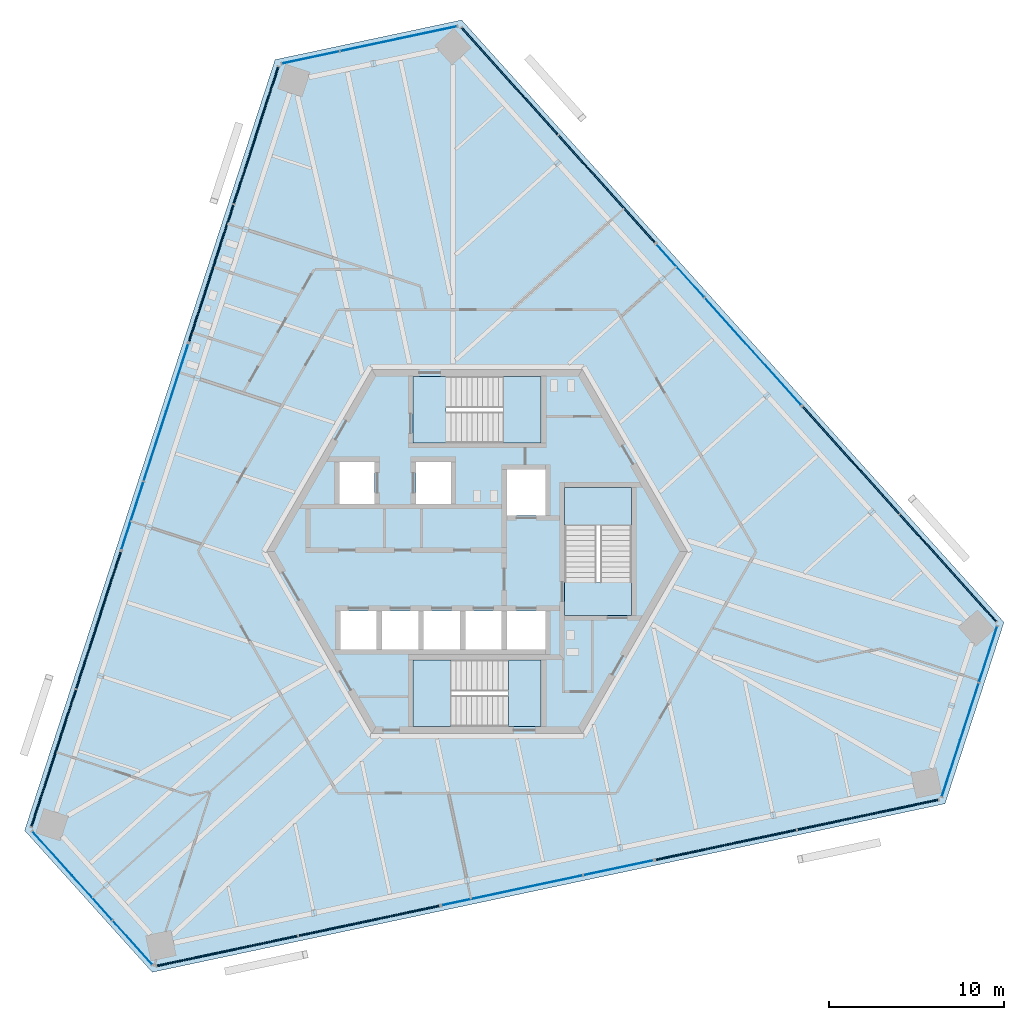
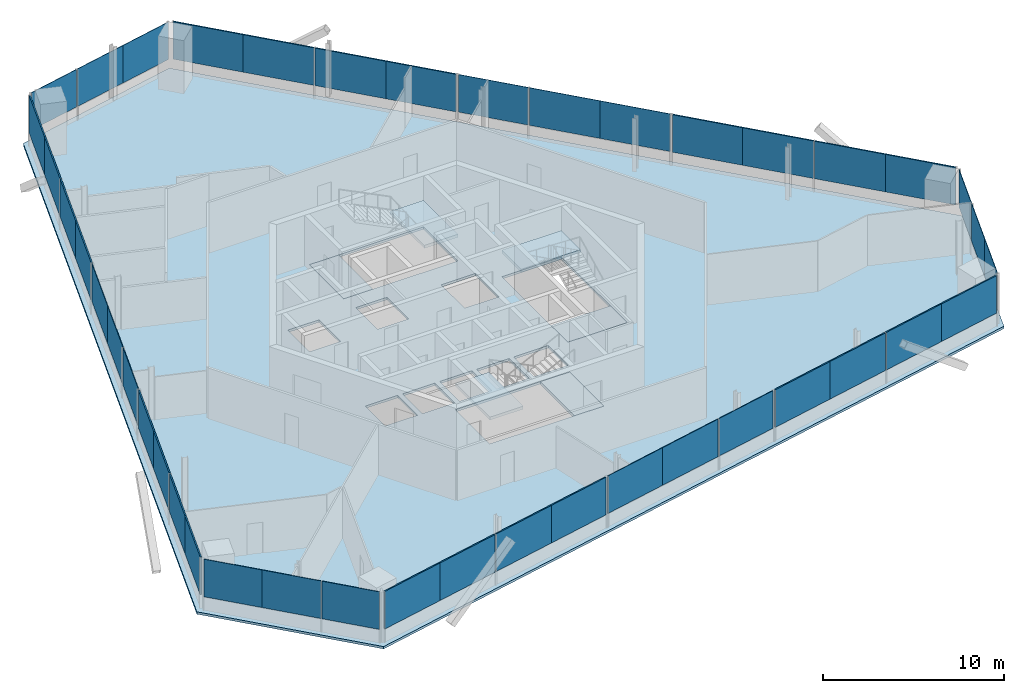
# One storey, part 8 of 14: 42 plates, 7 slabs, 15 elements without a shape of their own.
"""IFC4 building model written with IfcOpenShell, lengths in metres."""

import ifcopenshell
import ifcopenshell.guid

model = None  # the IFC model being written
_history = None  # IfcOwnerHistory: only IFC2X3 demands one
_inside = {}  # id of a spatial element -> (the spatial element, [elements in it])
_under = {}  # id of a project, library or spatial element -> (it, [spatial elements below it])
_declared = {}  # id of a project -> (the project, [libraries it declares])
_typed = {}  # id of a type object -> (the type object, [elements of that type])
_made_of = {}  # id of a material, layer set ... -> (it, [elements and type objects made of it])


def new_model(schema):
    """Start an empty IFC model of exactly this schema.

    Asked for "IFC4X3", IfcOpenShell would pick the latest addendum, in which some entities
    have other attributes; the version numbers below select the first issue.
    IFC2X3 requires an IfcOwnerHistory on every rooted entity: one is made here for all.
    """
    global model, _history
    if schema == "IFC4X3":
        model = ifcopenshell.file(schema_version=(4, 3, 0, 0))
    else:
        model = ifcopenshell.file(schema=schema)
    _inside.clear()
    _under.clear()
    _declared.clear()
    _typed.clear()
    _made_of.clear()
    _history = None
    if model.schema == "IFC2X3":
        org = make("IfcOrganization", Name="unknown")
        user = make(
            "IfcPersonAndOrganization",
            ThePerson=make("IfcPerson", FamilyName="unknown"),
            TheOrganization=org,
        )
        app = make(
            "IfcApplication",
            ApplicationDeveloper=org,
            Version="unknown",
            ApplicationFullName="unknown",
            ApplicationIdentifier="unknown",
        )
        _history = make(
            "IfcOwnerHistory",
            OwningUser=user,
            OwningApplication=app,
            ChangeAction="ADDED",
            CreationDate=0,
        )
    return model


def make(cls, **values):
    """One entity of the class cls with the attributes given. An attribute that is None is left unset."""
    return model.create_entity(
        cls, **{name: value for name, value in values.items() if value is not None}
    )


def rooted(cls, **values):
    """An entity with a GlobalId (a new one), such as an element, a storey or a relation."""
    return make(cls, GlobalId=ifcopenshell.guid.new(), OwnerHistory=_history, **values)


def si_unit(unit_type, name, prefix=None):
    """IfcSIUnit, for example si_unit("LENGTHUNIT", "METRE", prefix="MILLI")."""
    return make("IfcSIUnit", UnitType=unit_type, Prefix=prefix, Name=name)


def assignment(units):
    """IfcUnitAssignment: the units of a project."""
    return None if units is None else make("IfcUnitAssignment", Units=units)


def point(xyz):
    """IfcCartesianPoint."""
    return None if xyz is None else make("IfcCartesianPoint", Coordinates=xyz)


def direction(xyz):
    """IfcDirection."""
    return None if xyz is None else make("IfcDirection", DirectionRatios=xyz)


def frame(location, z_axis=None, x_axis=None):
    """IfcAxis2Placement3D, a coordinate frame: its origin and axes. An axis left out is left unset."""
    return make(
        "IfcAxis2Placement3D",
        Location=point(location),
        Axis=direction(z_axis),
        RefDirection=direction(x_axis),
    )


def frame_2d(location, x_axis=None):
    """IfcAxis2Placement2D, a coordinate frame in the plane: its origin and x axis."""
    return make(
        "IfcAxis2Placement2D", Location=point(location), RefDirection=direction(x_axis)
    )


def origin():
    """The frame at (0, 0, 0) with its axes left unset."""
    return frame((0.0, 0.0, 0.0))


def origin_2d():
    """The frame at (0, 0) in the plane with its x axis left unset."""
    return frame_2d((0.0, 0.0))


def place(relative_to, where):
    """IfcLocalPlacement: puts the frame where relative to a parent placement (None: the world)."""
    return make(
        "IfcLocalPlacement", PlacementRelTo=relative_to, RelativePlacement=where
    )


def context(
    kind, dimensions, precision=None, world=None, true_north=None, identifier=None
):
    """IfcGeometricRepresentationContext, for example the 3D "Model" context."""
    return make(
        "IfcGeometricRepresentationContext",
        ContextIdentifier=identifier,
        ContextType=kind,
        CoordinateSpaceDimension=dimensions,
        Precision=precision,
        WorldCoordinateSystem=world,
        TrueNorth=true_north,
    )


def subcontext(parent, identifier, kind, view, scale=None):
    """IfcGeometricRepresentationSubContext, for example "Body" below "Model"."""
    return make(
        "IfcGeometricRepresentationSubContext",
        ContextIdentifier=identifier,
        ContextType=kind,
        ParentContext=parent,
        TargetScale=scale,
        TargetView=view,
    )


def project(units=None, contexts=None):
    """IfcProject with its units and contexts."""
    return rooted(
        "IfcProject",
        Name="project",
        RepresentationContexts=contexts,
        UnitsInContext=assignment(units),
    )


def spatial(cls, under=None, at=None, **own):
    """A site, building, storey or space (cls), placed at a placement, below another one or the project."""
    s = rooted(cls, ObjectPlacement=at, **own)
    if under is not None:
        _under.setdefault(under.id(), (under, []))[1].append(s)
    return s


def polyline(points):
    """IfcPolyline through the points."""
    return make("IfcPolyline", Points=[point(p) for p in points])


def profile(cls, at=None, kind="AREA", **sizes):
    """A parametric profile (cls). Its sizes go by their IFC names, for example OverallWidth=200.0."""
    return make(cls, ProfileType=kind, Position=at, **sizes)


def rectangle(**sizes):
    """IfcRectangleProfileDef."""
    return profile("IfcRectangleProfileDef", **sizes)


def outline(outer, holes=None, kind="AREA"):
    """IfcArbitraryClosedProfileDef: a profile drawn as a closed curve; with holes, ...WithVoids."""
    if holes is None:
        return make("IfcArbitraryClosedProfileDef", ProfileType=kind, OuterCurve=outer)
    return make(
        "IfcArbitraryProfileDefWithVoids",
        ProfileType=kind,
        OuterCurve=outer,
        InnerCurves=holes,
    )


def extrude(swept, where, along, depth):
    """IfcExtrudedAreaSolid: the profile swept, set in the frame where, extruded along a direction by depth."""
    return make(
        "IfcExtrudedAreaSolid",
        SweptArea=swept,
        Position=where,
        ExtrudedDirection=direction(along),
        Depth=depth,
    )


def shape(context_of_items, identifier, shape_type, items):
    """IfcShapeRepresentation: the items that make up one representation, for example the "Body"."""
    return make(
        "IfcShapeRepresentation",
        ContextOfItems=context_of_items,
        RepresentationIdentifier=identifier,
        RepresentationType=shape_type,
        Items=items,
    )


def source(mapping_origin, context_of_items, identifier, shape_type, items):
    """IfcRepresentationMap: a shape defined once, which mapped items show again and again."""
    return make(
        "IfcRepresentationMap",
        MappingOrigin=mapping_origin,
        MappedRepresentation=shape(context_of_items, identifier, shape_type, items),
    )


def transform(
    local_origin,
    x_axis=None,
    y_axis=None,
    z_axis=None,
    scale=None,
    scale2=None,
    scale3=None,
    uniform=True,
):
    """IfcCartesianTransformationOperator3D, or its non-uniform kind. x_axis, y_axis, z_axis: its Axis1, 2, 3."""
    if uniform:
        return make(
            "IfcCartesianTransformationOperator3D",
            Axis1=direction(x_axis),
            Axis2=direction(y_axis),
            LocalOrigin=point(local_origin),
            Scale=scale,
            Axis3=direction(z_axis),
        )
    return make(
        "IfcCartesianTransformationOperator3DnonUniform",
        Axis1=direction(x_axis),
        Axis2=direction(y_axis),
        LocalOrigin=point(local_origin),
        Scale=scale,
        Axis3=direction(z_axis),
        Scale2=scale2,
        Scale3=scale3,
    )


def mapped(mapping_source, mapping_target):
    """IfcMappedItem: shows the shape of a source again, moved by a transform."""
    return make(
        "IfcMappedItem", MappingSource=mapping_source, MappingTarget=mapping_target
    )


def material(Name=None, Category=None):
    """IfcMaterial."""
    return make("IfcMaterial", Name=Name, Category=Category)


def layer(
    of_material, thickness, ventilated=None, Name=None, Category=None, Priority=None
):
    """IfcMaterialLayer: one layer of a wall or slab, of a material (None: an air gap)."""
    return make(
        "IfcMaterialLayer",
        Material=of_material,
        LayerThickness=thickness,
        IsVentilated=ventilated,
        Name=Name,
        Category=Category,
        Priority=Priority,
    )


def layer_set(layers, Name=None):
    """IfcMaterialLayerSet."""
    return make("IfcMaterialLayerSet", MaterialLayers=layers, LayerSetName=Name)


def made_of(thing, what):
    """Note that an element or type object is made of a material, layer set ...; save() writes the relation."""
    if what is not None:
        _made_of.setdefault(what.id(), (what, []))[1].append(thing)
    return thing


def type_object(cls, material=None, **own):
    """A type object (cls), such as IfcWallType, which elements share."""
    return made_of(rooted(cls, **own), material)


def element(
    cls,
    number,
    at=None,
    inside=None,
    cuts=None,
    type_object=None,
    material=None,
    context=None,
    identifier="Body",
    shape_type=None,
    held_by="IfcProductDefinitionShape",
    body=None,
    shapes=None,
    **own,
):
    """One element of the class cls, such as IfcWall. Its Tag is "e" and its number.

    at: its placement. inside: the storey or other place that contains it. cuts: it is an
    opening in that element (IfcRelVoidsElement). A single representation is given by context,
    identifier, shape_type and body (its items); several are given by shapes. held_by: the class
    of the entity that holds the representations. save() writes the other relations.
    """
    e = rooted(cls, Tag="e%d" % number, ObjectPlacement=at, **own)
    if body is not None:
        shapes = [shape(context, identifier, shape_type, body)]
    if shapes is not None:
        e.Representation = make(held_by, Representations=shapes)
    if inside is not None:
        _inside.setdefault(inside.id(), (inside, []))[1].append(e)
    if cuts is not None:
        rooted(
            "IfcRelVoidsElement", RelatingBuildingElement=cuts, RelatedOpeningElement=e
        )
    if type_object is not None:
        _typed.setdefault(type_object.id(), (type_object, []))[1].append(e)
    return made_of(e, material)


def aggregate(whole, parts):
    """IfcRelAggregates: a whole, such as a stair, and the parts it consists of."""
    return rooted("IfcRelAggregates", RelatingObject=whole, RelatedObjects=parts)


def save(model, path):
    """Write the relations noted so far, then the file.

    IfcRelAggregates (storeys below a building ...), IfcRelContainedInSpatialStructure (elements
    in a storey), IfcRelDefinesByType, IfcRelAssociatesMaterial and IfcRelDeclares: one each for
    every whole, place, type object, material and project.
    """
    for whole, parts in _under.values():
        aggregate(whole, parts)
    for where, things in _inside.values():
        rooted(
            "IfcRelContainedInSpatialStructure",
            RelatedElements=things,
            RelatingStructure=where,
        )
    for kind, things in _typed.values():
        rooted("IfcRelDefinesByType", RelatedObjects=things, RelatingType=kind)
    for what, things in _made_of.values():
        rooted("IfcRelAssociatesMaterial", RelatedObjects=things, RelatingMaterial=what)
    for by, libraries in _declared.values():
        rooted("IfcRelDeclares", RelatingContext=by, RelatedDefinitions=libraries)
    model.write(path)


model = new_model("IFC4")

# Units and contexts
model_context = context("Model", 3, precision=1e-05, world=origin(), true_north=direction((0.0, 1.0)))
body_context = subcontext(model_context, "Body", "Model", "MODEL_VIEW")
ifc_project = project(units=[si_unit("LENGTHUNIT", "METRE"), si_unit("AREAUNIT", "SQUARE_METRE"), si_unit("VOLUMEUNIT", "CUBIC_METRE"), si_unit("PLANEANGLEUNIT", "RADIAN"), si_unit("MASSUNIT", "GRAM", prefix="KILO")], contexts=[model_context])

# Site, building, storey
site_placement = place(None, origin())
site = spatial("IfcSite", under=ifc_project, at=site_placement, CompositionType="ELEMENT")
building_placement = place(site_placement, origin())
building = spatial("IfcBuilding", under=site, at=building_placement, Name="Triune Harvest Tower", CompositionType="ELEMENT")
storey_placement = place(building_placement, frame((0.0, 0.0, 263.10009765625)))
storey = spatial("IfcBuildingStorey", under=building, at=storey_placement, Name="L69", CompositionType="ELEMENT", Elevation=263.10009765625)

# Slab
ifc_material_1 = material(Name="Concrete 40 MPa", Category="concrete")
ifc_layer_1 = layer(ifc_material_1, 0.159912109375)
ifc_layer_set_1 = layer_set([ifc_layer_1], Name="Concrete 40 MPa")
slab_type_1 = type_object("IfcSlabType", Name="SL-1 Composite floor slab 160", PredefinedType="FLOOR", material=ifc_layer_set_1)
shared_shape_1 = source(origin(), body_context, "Body", "SweptSolid", [
    extrude(outline(polyline([(30.05810546875, -4.04638671875), (-0.88232421875, 30.31640625), (-11.524658203125, 28.054443359375), (-25.813720703125, -15.922607421875), (-18.533447265625, -24.0078125), (26.696044921875, -14.39404296875), (30.05810546875, -4.04638671875)]), holes=[polyline([(-5.72509765625, -5.590087890625), (-5.72509765625, -3.389892578125), (-7.800048828125, -3.389892578125), (-7.800048828125, -5.590087890625), (-5.72509765625, -5.590087890625)]), polyline([(-3.35009765625, -5.590087890625), (-3.35009765625, -3.389892578125), (-5.425048828125, -3.389892578125), (-5.425048828125, -5.590087890625), (-3.35009765625, -5.590087890625)]), polyline([(-0.97509765625, -5.590087890625), (-0.97509765625, -3.389892578125), (-3.050048828125, -3.389892578125), (-3.050048828125, -5.590087890625), (-0.97509765625, -5.590087890625)]), polyline([(1.39990234375, -5.590087890625), (1.39990234375, -3.389892578125), (-0.675048828125, -3.389892578125), (-0.675048828125, -5.590087890625), (1.39990234375, -5.590087890625)]), polyline([(3.89990234375, 2.06005859375), (3.89990234375, 4.659912109375), (1.699951171875, 4.659912109375), (1.699951171875, 2.06005859375), (3.89990234375, 2.06005859375)]), polyline([(3.89990234375, -5.590087890625), (3.89990234375, -3.389892578125), (1.699951171875, -3.389892578125), (1.699951171875, -5.590087890625), (3.89990234375, -5.590087890625)]), polyline([(-5.85009765625, 2.7099609375), (-5.85009765625, 5.110107421875), (-7.85009765625, 5.110107421875), (-7.85009765625, 2.7099609375), (-5.85009765625, 2.7099609375)]), polyline([(-1.5, 2.7099609375), (-1.5, 5.110107421875), (-3.5, 5.110107421875), (-3.5, 2.7099609375), (-1.5, 2.7099609375)]), polyline([(3.64990234375, 6.18994140625), (3.64990234375, 9.989990234375), (-3.64990234375, 9.989990234375), (-3.64990234375, 6.18994140625), (3.64990234375, 6.18994140625)]), polyline([(3.64990234375, -9.989990234375), (3.64990234375, -6.18994140625), (-3.64990234375, -6.18994140625), (-3.64990234375, -9.989990234375), (3.64990234375, -9.989990234375)]), polyline([(8.800048828125, -3.64990234375), (8.800048828125, 3.64990234375), (5.0, 3.64990234375), (5.0, -3.64990234375), (8.800048828125, -3.64990234375)])]), origin(), (0.0, 0.0, 1.0), 0.16015625),
])
slab_1_placement = place(storey_placement, frame((0.0, 0.0, -0.16015625)))
element("IfcSlab", 1, at=slab_1_placement, inside=storey, type_object=slab_type_1, Name="slab/L69/1", PredefinedType="FLOOR", context=body_context, shape_type="MappedRepresentation", body=[
    mapped(shared_shape_1, transform((0.0, 0.0, 0.0), scale=1.0)),
])

# Stair, slabs
ifc_material_2 = material(Name="Concrete 40 MPa", Category="concrete")
stair_type = type_object("IfcStairType", Name="Exit stair 1800 half turn", PredefinedType="HALF_TURN_STAIR", material=ifc_material_2)
stair_1_placement = place(storey_placement, origin())
stair_1 = element("IfcStair", 2, at=stair_1_placement, inside=storey, type_object=stair_type, Name="Exit stair north", PredefinedType="HALF_TURN_STAIR")
ifc_material_3 = material(Name="Concrete 40 MPa", Category="concrete")
ifc_layer_2 = layer(ifc_material_3, 0.199951171875)
ifc_layer_set_2 = layer_set([ifc_layer_2], Name="Concrete 40 MPa")
slab_type_2 = type_object("IfcSlabType", Name="Stair landing 200", PredefinedType="LANDING", material=ifc_layer_set_2)
shared_shape_2 = source(origin(), body_context, "Body", "SweptSolid", [
    extrude(outline(polyline([(1.510009765625, 6.18994140625), (3.64990234375, 6.18994140625), (3.64990234375, 9.989990234375), (1.510009765625, 9.989990234375), (1.510009765625, 6.18994140625)])), origin(), (0.0, 0.0, 1.0), 0.199951171875),
])
slab_2_placement = place(storey_placement, frame((0.0, 0.0, 1.599853515625)))
slab_2 = element("IfcSlab", 3, at=slab_2_placement, type_object=slab_type_2, Name="ST-1 landing 2", PredefinedType="LANDING", context=body_context, shape_type="MappedRepresentation", body=[
    mapped(shared_shape_2, transform((0.0, 0.0, 0.0), scale=1.0)),
])
shared_shape_3 = source(origin(), body_context, "Body", "SweptSolid", [
    extrude(outline(polyline([(-3.64990234375, 6.18994140625), (-1.780029296875, 6.18994140625), (-1.780029296875, 9.989990234375), (-3.64990234375, 9.989990234375), (-3.64990234375, 6.18994140625)])), origin(), (0.0, 0.0, 1.0), 0.2001953125),
])
slab_3_placement = place(storey_placement, frame((0.0, 0.0, -0.2001953125)))
slab_3 = element("IfcSlab", 4, at=slab_3_placement, type_object=slab_type_2, Name="ST-1 landing 1", PredefinedType="LANDING", context=body_context, shape_type="MappedRepresentation", body=[
    mapped(shared_shape_3, transform((0.0, 0.0, 0.0), scale=1.0)),
])
aggregate(stair_1, [slab_3, slab_2])

stair_2_placement = place(storey_placement, origin())
stair_2 = element("IfcStair", 5, at=stair_2_placement, inside=storey, type_object=stair_type, Name="Exit stair south", PredefinedType="HALF_TURN_STAIR")
shared_shape_4 = source(origin(), body_context, "Body", "SweptSolid", [
    extrude(outline(polyline([(-1.510009765625, -6.18994140625), (-3.64990234375, -6.18994140625), (-3.64990234375, -9.989990234375), (-1.510009765625, -9.989990234375), (-1.510009765625, -6.18994140625)])), origin(), (0.0, 0.0, 1.0), 0.199951171875),
])
slab_4_placement = place(storey_placement, frame((0.0, 0.0, 1.599853515625)))
slab_4 = element("IfcSlab", 6, at=slab_4_placement, type_object=slab_type_2, Name="ST-2 landing 2", PredefinedType="LANDING", context=body_context, shape_type="MappedRepresentation", body=[
    mapped(shared_shape_4, transform((0.0, 0.0, 0.0), scale=1.0)),
])
shared_shape_5 = source(origin(), body_context, "Body", "SweptSolid", [
    extrude(outline(polyline([(3.64990234375, -6.18994140625), (1.780029296875, -6.18994140625), (1.780029296875, -9.989990234375), (3.64990234375, -9.989990234375), (3.64990234375, -6.18994140625)])), origin(), (0.0, 0.0, 1.0), 0.2001953125),
])
slab_5_placement = place(storey_placement, frame((0.0, 0.0, -0.2001953125)))
slab_5 = element("IfcSlab", 7, at=slab_5_placement, type_object=slab_type_2, Name="ST-2 landing 1", PredefinedType="LANDING", context=body_context, shape_type="MappedRepresentation", body=[
    mapped(shared_shape_5, transform((0.0, 0.0, 0.0), scale=1.0)),
])
aggregate(stair_2, [slab_5, slab_4])

stair_3_placement = place(storey_placement, origin())
stair_3 = element("IfcStair", 8, at=stair_3_placement, inside=storey, type_object=stair_type, Name="Exit stair east", PredefinedType="HALF_TURN_STAIR")
shared_shape_6 = source(origin(), body_context, "Body", "SweptSolid", [
    extrude(outline(polyline([(8.800048828125, 1.510009765625), (8.800048828125, 3.64990234375), (5.0, 3.64990234375), (5.0, 1.510009765625), (8.800048828125, 1.510009765625)])), origin(), (0.0, 0.0, 1.0), 0.199951171875),
])
slab_6_placement = place(storey_placement, frame((0.0, 0.0, 1.599853515625)))
slab_6 = element("IfcSlab", 9, at=slab_6_placement, type_object=slab_type_2, Name="ST-3 landing 2", PredefinedType="LANDING", context=body_context, shape_type="MappedRepresentation", body=[
    mapped(shared_shape_6, transform((0.0, 0.0, 0.0), scale=1.0)),
])
shared_shape_7 = source(origin(), body_context, "Body", "SweptSolid", [
    extrude(outline(polyline([(8.800048828125, -3.64990234375), (8.800048828125, -1.780029296875), (5.0, -1.780029296875), (5.0, -3.64990234375), (8.800048828125, -3.64990234375)])), origin(), (0.0, 0.0, 1.0), 0.2001953125),
])
slab_7_placement = place(storey_placement, frame((0.0, 0.0, -0.2001953125)))
slab_7 = element("IfcSlab", 10, at=slab_7_placement, type_object=slab_type_2, Name="ST-3 landing 1", PredefinedType="LANDING", context=body_context, shape_type="MappedRepresentation", body=[
    mapped(shared_shape_7, transform((0.0, 0.0, 0.0), scale=1.0)),
])
aggregate(stair_3, [slab_7, slab_6])

# Curtain wall, plate
ifc_material_4 = material(Name="Aluminium bronze anodised", Category="aluminium")
curtain_wall_type_1 = type_object("IfcCurtainWallType", Name="CW-1 Tower stick curtain wall", PredefinedType="NOTDEFINED", material=ifc_material_4)
curtain_wall_1_placement = place(storey_placement, origin())
curtain_wall_1 = element("IfcCurtainWall", 11, at=curtain_wall_1_placement, inside=storey, type_object=curtain_wall_type_1, Name="CW-1 B7-F2 L69 run 1")
ifc_material_5 = material(Name="Glass", Category="glass")
ifc_layer_3 = layer(ifc_material_5, 0.031982421875)
ifc_layer_set_3 = layer_set([ifc_layer_3], Name="Glass")
plate_type_1 = type_object("IfcPlateType", Name="GL-1 panel 32", PredefinedType="CURTAIN_PANEL", material=ifc_layer_set_3)
shared_shape_8 = source(origin(), body_context, "Body", "SweptSolid", [
    extrude(rectangle(XDim=3.376220703125, YDim=0.031982421875, at=origin_2d()), origin(), (0.0, 0.0, 1.0), 2.5400390625),
])
plate_1_placement = place(storey_placement, frame((-2.802001953125, 29.601806640625, 0.89990234375), z_axis=(0.0, 0.0, 1.0), x_axis=(-0.978149078297, -0.207904739307, 0.0)))
plate_1 = element("IfcPlate", 12, at=plate_1_placement, type_object=plate_type_1, Name="CW-1 panel B7-F2 1.1", PredefinedType="CURTAIN_PANEL", context=body_context, shape_type="MappedRepresentation", body=[
    mapped(shared_shape_8, transform((0.0, 0.0, 0.0), scale=1.0)),
])

curtain_wall_2_placement = place(storey_placement, origin())
curtain_wall_2 = element("IfcCurtainWall", 13, at=curtain_wall_2_placement, inside=storey, type_object=curtain_wall_type_1, Name="CW-1 B7-F4 L69 run 1")
plate_2_placement = place(storey_placement, frame((-24.23486328125, -17.2275390625, 0.89990234375), z_axis=(0.0, 0.0, 1.0), x_axis=(0.669132031472, -0.743143542297, 0.0)))
plate_2 = element("IfcPlate", 14, at=plate_2_placement, type_object=plate_type_1, Name="CW-1 panel B7-F4 1.1", PredefinedType="CURTAIN_PANEL", context=body_context, shape_type="MappedRepresentation", body=[
    mapped(shared_shape_8, transform((0.0, 0.0, 0.0), scale=1.0)),
])

curtain_wall_3_placement = place(storey_placement, origin())
curtain_wall_3 = element("IfcCurtainWall", 15, at=curtain_wall_3_placement, inside=storey, type_object=curtain_wall_type_1, Name="CW-1 B7-F6 L69 run 1")
plate_3_placement = place(storey_placement, frame((27.036865234375, -12.374267578125, 0.89990234375), z_axis=(0.0, 0.0, 1.0), x_axis=(0.309018882717, 0.951055902733, 0.0)))
plate_3 = element("IfcPlate", 16, at=plate_3_placement, type_object=plate_type_1, Name="CW-1 panel B7-F6 1.1", PredefinedType="CURTAIN_PANEL", context=body_context, shape_type="MappedRepresentation", body=[
    mapped(shared_shape_8, transform((0.0, 0.0, 0.0), scale=1.0)),
])

# Plate
shared_shape_9 = source(origin(), body_context, "Body", "SweptSolid", [
    extrude(rectangle(XDim=3.413818359375, YDim=0.031982421875, at=origin_2d()), origin(), (0.0, 0.0, 1.0), 2.5400390625),
])
plate_4_placement = place(storey_placement, frame((-6.122802734375, 28.89599609375, 0.89990234375), z_axis=(0.0, 0.0, 1.0), x_axis=(-0.978149078297, -0.207904739307, 0.0)))
plate_4 = element("IfcPlate", 17, at=plate_4_placement, type_object=plate_type_1, Name="CW-1 panel B7-F2 1.2", PredefinedType="CURTAIN_PANEL", context=body_context, shape_type="MappedRepresentation", body=[
    mapped(shared_shape_9, transform((0.0, 0.0, 0.0), scale=1.0)),
])

plate_5_placement = place(storey_placement, frame((28.0859375, -9.145263671875, 0.89990234375), z_axis=(0.0, 0.0, 1.0), x_axis=(0.309018882717, 0.951055902733, 0.0)))
plate_5 = element("IfcPlate", 18, at=plate_5_placement, type_object=plate_type_1, Name="CW-1 panel B7-F6 1.2", PredefinedType="CURTAIN_PANEL", context=body_context, shape_type="MappedRepresentation", body=[
    mapped(shared_shape_9, transform((0.0, 0.0, 0.0), scale=1.0)),
])

shared_shape_10 = source(origin(), body_context, "Body", "SweptSolid", [
    extrude(rectangle(XDim=3.338623046875, YDim=0.031982421875, at=origin_2d()), origin(), (0.0, 0.0, 1.0), 2.5400390625),
])
plate_6_placement = place(storey_placement, frame((-9.49853515625, 28.178466796875, 0.89990234375), z_axis=(0.0, 0.0, 1.0), x_axis=(-0.978149078297, -0.207904739307, 0.0)))
plate_6 = element("IfcPlate", 19, at=plate_6_placement, type_object=plate_type_1, Name="CW-1 panel B7-F2 1.3", PredefinedType="CURTAIN_PANEL", context=body_context, shape_type="MappedRepresentation", body=[
    mapped(shared_shape_10, transform((0.0, 0.0, 0.0), scale=1.0)),
])

aggregate(curtain_wall_1, [plate_1, plate_4, plate_6])

plate_7_placement = place(storey_placement, frame((-19.65380859375, -22.315185546875, 0.89990234375), z_axis=(0.0, 0.0, 1.0), x_axis=(0.669132031472, -0.743143542297, 0.0)))
plate_7 = element("IfcPlate", 20, at=plate_7_placement, type_object=plate_type_1, Name="CW-1 panel B7-F4 1.3", PredefinedType="CURTAIN_PANEL", context=body_context, shape_type="MappedRepresentation", body=[
    mapped(shared_shape_10, transform((0.0, 0.0, 0.0), scale=1.0)),
])

plate_8_placement = place(storey_placement, frame((29.152587890625, -5.863037109375, 0.89990234375), z_axis=(0.0, 0.0, 1.0), x_axis=(0.309018882717, 0.951055902733, 0.0)))
plate_8 = element("IfcPlate", 21, at=plate_8_placement, type_object=plate_type_1, Name="CW-1 panel B7-F6 1.3", PredefinedType="CURTAIN_PANEL", context=body_context, shape_type="MappedRepresentation", body=[
    mapped(shared_shape_10, transform((0.0, 0.0, 0.0), scale=1.0)),
])

aggregate(curtain_wall_3, [plate_3, plate_5, plate_8])

shared_shape_11 = source(origin(), body_context, "Body", "SweptSolid", [
    extrude(rectangle(XDim=3.41357421875, YDim=0.031982421875, at=origin_2d()), origin(), (0.0, 0.0, 1.0), 2.5400390625),
])
plate_9_placement = place(storey_placement, frame((-21.963134765625, -19.75048828125, 0.89990234375), z_axis=(0.0, 0.0, 1.0), x_axis=(0.669132031472, -0.743143542297, 0.0)))
plate_9 = element("IfcPlate", 22, at=plate_9_placement, type_object=plate_type_1, Name="CW-1 panel B7-F4 1.2", PredefinedType="CURTAIN_PANEL", context=body_context, shape_type="MappedRepresentation", body=[
    mapped(shared_shape_11, transform((0.0, 0.0, 0.0), scale=1.0)),
])

aggregate(curtain_wall_2, [plate_2, plate_9, plate_7])

# Curtain wall, plates
ifc_material_6 = material(Name="Aluminium bronze anodised", Category="aluminium")
curtain_wall_type_2 = type_object("IfcCurtainWallType", Name="CW-7 Tower stick curtain wall with insulated spandrel infill", PredefinedType="NOTDEFINED", material=ifc_material_6)
curtain_wall_4_placement = place(storey_placement, origin())
curtain_wall_4 = element("IfcCurtainWall", 23, at=curtain_wall_4_placement, inside=storey, type_object=curtain_wall_type_2, Name="CW-7 B7-F1 L69 run 1")
ifc_material_7 = material(Name="Insulated spandrel panel, bronze aluminium pan", Category="aluminium")
ifc_layer_4 = layer(ifc_material_7, 0.080078125)
ifc_layer_set_4 = layer_set([ifc_layer_4], Name="Insulated spandrel panel, bronze aluminium pan")
plate_type_2 = type_object("IfcPlateType", Name="SP-1 insulated spandrel panel 80", PredefinedType="CURTAIN_PANEL", material=ifc_layer_set_4)
shared_shape_12 = source(origin(), body_context, "Body", "SweptSolid", [
    extrude(rectangle(XDim=4.080810546875, YDim=0.080078125, at=origin_2d()), origin(), (0.0, 0.0, 1.0), 2.5400390625),
])
plate_10_placement = place(storey_placement, frame((28.24365234375, -2.4794921875, 0.89990234375), z_axis=(0.0, 0.0, 1.0), x_axis=(-0.66913398018, 0.743141787662, 0.0)))
plate_10 = element("IfcPlate", 24, at=plate_10_placement, type_object=plate_type_2, Name="CW-7 panel B7-F1 1.1", PredefinedType="CURTAIN_PANEL", context=body_context, shape_type="MappedRepresentation", body=[
    mapped(shared_shape_12, transform((0.0, 0.0, 0.0), scale=1.0)),
])
plate_11_placement = place(storey_placement, frame((19.95166015625, 6.729736328125, 0.89990234375), z_axis=(0.0, 0.0, 1.0), x_axis=(-0.66913398018, 0.743141787662, 0.0)))
plate_11 = element("IfcPlate", 25, at=plate_11_placement, type_object=plate_type_2, Name="CW-7 panel B7-F1 1.4", PredefinedType="CURTAIN_PANEL", context=body_context, shape_type="MappedRepresentation", body=[
    mapped(shared_shape_12, transform((0.0, 0.0, 0.0), scale=1.0)),
])

curtain_wall_5_placement = place(storey_placement, origin())
curtain_wall_5 = element("IfcCurtainWall", 26, at=curtain_wall_5_placement, inside=storey, type_object=curtain_wall_type_2, Name="CW-7 B7-F1 L69 run 2001")
plate_12_placement = place(storey_placement, frame((8.7783203125, 19.138916015625, 0.89990234375), z_axis=(0.0, 0.0, 1.0), x_axis=(-0.66913398018, 0.743141787662, 0.0)))
plate_12 = element("IfcPlate", 27, at=plate_12_placement, type_object=plate_type_2, Name="CW-7 panel B7-F1 2001.1", PredefinedType="CURTAIN_PANEL", context=body_context, shape_type="MappedRepresentation", body=[
    mapped(shared_shape_12, transform((0.0, 0.0, 0.0), scale=1.0)),
])
plate_13_placement = place(storey_placement, frame((0.486328125, 28.34814453125, 0.89990234375), z_axis=(0.0, 0.0, 1.0), x_axis=(-0.66913398018, 0.743141787662, 0.0)))
plate_13 = element("IfcPlate", 28, at=plate_13_placement, type_object=plate_type_2, Name="CW-7 panel B7-F1 2001.4", PredefinedType="CURTAIN_PANEL", context=body_context, shape_type="MappedRepresentation", body=[
    mapped(shared_shape_12, transform((0.0, 0.0, 0.0), scale=1.0)),
])

curtain_wall_6_placement = place(storey_placement, origin())
curtain_wall_6 = element("IfcCurtainWall", 29, at=curtain_wall_6_placement, inside=storey, type_object=curtain_wall_type_2, Name="CW-7 B7-F3 L69 run 1")
plate_14_placement = place(storey_placement, frame((-11.974365234375, 25.699462890625, 0.89990234375), z_axis=(0.0, 0.0, 1.0), x_axis=(-0.309013539626, -0.951057638804, 0.0)))
plate_14 = element("IfcPlate", 30, at=plate_14_placement, type_object=plate_type_2, Name="CW-7 panel B7-F3 1.1", PredefinedType="CURTAIN_PANEL", context=body_context, shape_type="MappedRepresentation", body=[
    mapped(shared_shape_12, transform((0.0, 0.0, 0.0), scale=1.0)),
])
plate_15_placement = place(storey_placement, frame((-15.8037109375, 13.91357421875, 0.89990234375), z_axis=(0.0, 0.0, 1.0), x_axis=(-0.309013539626, -0.951057638804, 0.0)))
plate_15 = element("IfcPlate", 31, at=plate_15_placement, type_object=plate_type_2, Name="CW-7 panel B7-F3 1.4", PredefinedType="CURTAIN_PANEL", context=body_context, shape_type="MappedRepresentation", body=[
    mapped(shared_shape_12, transform((0.0, 0.0, 0.0), scale=1.0)),
])

curtain_wall_7_placement = place(storey_placement, origin())
curtain_wall_7 = element("IfcCurtainWall", 32, at=curtain_wall_7_placement, inside=storey, type_object=curtain_wall_type_2, Name="CW-7 B7-F3 L69 run 2001")
plate_16_placement = place(storey_placement, frame((-20.9638671875, -1.96728515625, 0.89990234375), z_axis=(0.0, 0.0, 1.0), x_axis=(-0.309013539626, -0.951057638804, 0.0)))
plate_16 = element("IfcPlate", 33, at=plate_16_placement, type_object=plate_type_2, Name="CW-7 panel B7-F3 2001.1", PredefinedType="CURTAIN_PANEL", context=body_context, shape_type="MappedRepresentation", body=[
    mapped(shared_shape_12, transform((0.0, 0.0, 0.0), scale=1.0)),
])
plate_17_placement = place(storey_placement, frame((-24.793212890625, -13.7529296875, 0.89990234375), z_axis=(0.0, 0.0, 1.0), x_axis=(-0.309013539626, -0.951057638804, 0.0)))
plate_17 = element("IfcPlate", 34, at=plate_17_placement, type_object=plate_type_2, Name="CW-7 panel B7-F3 2001.4", PredefinedType="CURTAIN_PANEL", context=body_context, shape_type="MappedRepresentation", body=[
    mapped(shared_shape_12, transform((0.0, 0.0, 0.0), scale=1.0)),
])

curtain_wall_8_placement = place(storey_placement, origin())
curtain_wall_8 = element("IfcCurtainWall", 35, at=curtain_wall_8_placement, inside=storey, type_object=curtain_wall_type_2, Name="CW-7 B7-F5 L69 run 1")
plate_18_placement = place(storey_placement, frame((-16.269287109375, -23.219970703125, 0.89990234375), z_axis=(0.0, 0.0, 1.0), x_axis=(0.978148253388, 0.2079086203, 0.0)))
plate_18 = element("IfcPlate", 36, at=plate_18_placement, type_object=plate_type_2, Name="CW-7 panel B7-F5 1.1", PredefinedType="CURTAIN_PANEL", context=body_context, shape_type="MappedRepresentation", body=[
    mapped(shared_shape_12, transform((0.0, 0.0, 0.0), scale=1.0)),
])
plate_19_placement = place(storey_placement, frame((-4.147705078125, -20.643310546875, 0.89990234375), z_axis=(0.0, 0.0, 1.0), x_axis=(0.978148253388, 0.2079086203, 0.0)))
plate_19 = element("IfcPlate", 37, at=plate_19_placement, type_object=plate_type_2, Name="CW-7 panel B7-F5 1.4", PredefinedType="CURTAIN_PANEL", context=body_context, shape_type="MappedRepresentation", body=[
    mapped(shared_shape_12, transform((0.0, 0.0, 0.0), scale=1.0)),
])

curtain_wall_9_placement = place(storey_placement, origin())
curtain_wall_9 = element("IfcCurtainWall", 38, at=curtain_wall_9_placement, inside=storey, type_object=curtain_wall_type_2, Name="CW-7 B7-F5 L69 run 2001")
plate_20_placement = place(storey_placement, frame((12.185546875, -17.171630859375, 0.89990234375), z_axis=(0.0, 0.0, 1.0), x_axis=(0.978148253388, 0.2079086203, 0.0)))
plate_20 = element("IfcPlate", 39, at=plate_20_placement, type_object=plate_type_2, Name="CW-7 panel B7-F5 2001.1", PredefinedType="CURTAIN_PANEL", context=body_context, shape_type="MappedRepresentation", body=[
    mapped(shared_shape_12, transform((0.0, 0.0, 0.0), scale=1.0)),
])
plate_21_placement = place(storey_placement, frame((24.30712890625, -14.59521484375, 0.89990234375), z_axis=(0.0, 0.0, 1.0), x_axis=(0.978148253388, 0.2079086203, 0.0)))
plate_21 = element("IfcPlate", 40, at=plate_21_placement, type_object=plate_type_2, Name="CW-7 panel B7-F5 2001.4", PredefinedType="CURTAIN_PANEL", context=body_context, shape_type="MappedRepresentation", body=[
    mapped(shared_shape_12, transform((0.0, 0.0, 0.0), scale=1.0)),
])

# Plate
shared_shape_13 = source(origin(), body_context, "Body", "SweptSolid", [
    extrude(rectangle(XDim=4.1181640625, YDim=0.080078125, at=origin_2d()), origin(), (0.0, 0.0, 1.0), 2.5400390625),
])
plate_22_placement = place(storey_placement, frame((25.50048828125, 0.56689453125, 0.89990234375), z_axis=(0.0, 0.0, 1.0), x_axis=(-0.66913398018, 0.743141787662, 0.0)))
plate_22 = element("IfcPlate", 41, at=plate_22_placement, type_object=plate_type_2, Name="CW-7 panel B7-F1 1.2", PredefinedType="CURTAIN_PANEL", context=body_context, shape_type="MappedRepresentation", body=[
    mapped(shared_shape_13, transform((0.0, 0.0, 0.0), scale=1.0)),
])

plate_23_placement = place(storey_placement, frame((22.69482421875, 3.68310546875, 0.89990234375), z_axis=(0.0, 0.0, 1.0), x_axis=(-0.66913398018, 0.743141787662, 0.0)))
plate_23 = element("IfcPlate", 42, at=plate_23_placement, type_object=plate_type_2, Name="CW-7 panel B7-F1 1.3", PredefinedType="CURTAIN_PANEL", context=body_context, shape_type="MappedRepresentation", body=[
    mapped(shared_shape_13, transform((0.0, 0.0, 0.0), scale=1.0)),
])

aggregate(curtain_wall_4, [plate_10, plate_22, plate_23, plate_11])

plate_24_placement = place(storey_placement, frame((6.035400390625, 22.185302734375, 0.89990234375), z_axis=(0.0, 0.0, 1.0), x_axis=(-0.66913398018, 0.743141787662, 0.0)))
plate_24 = element("IfcPlate", 43, at=plate_24_placement, type_object=plate_type_2, Name="CW-7 panel B7-F1 2001.2", PredefinedType="CURTAIN_PANEL", context=body_context, shape_type="MappedRepresentation", body=[
    mapped(shared_shape_13, transform((0.0, 0.0, 0.0), scale=1.0)),
])

plate_25_placement = place(storey_placement, frame((3.2294921875, 25.301513671875, 0.89990234375), z_axis=(0.0, 0.0, 1.0), x_axis=(-0.66913398018, 0.743141787662, 0.0)))
plate_25 = element("IfcPlate", 44, at=plate_25_placement, type_object=plate_type_2, Name="CW-7 panel B7-F1 2001.3", PredefinedType="CURTAIN_PANEL", context=body_context, shape_type="MappedRepresentation", body=[
    mapped(shared_shape_13, transform((0.0, 0.0, 0.0), scale=1.0)),
])

aggregate(curtain_wall_5, [plate_12, plate_24, plate_25, plate_13])

plate_26_placement = place(storey_placement, frame((-12.25927734375, -22.367431640625, 0.89990234375), z_axis=(0.0, 0.0, 1.0), x_axis=(0.978148253388, 0.2079086203, 0.0)))
plate_26 = element("IfcPlate", 45, at=plate_26_placement, type_object=plate_type_2, Name="CW-7 panel B7-F5 1.2", PredefinedType="CURTAIN_PANEL", context=body_context, shape_type="MappedRepresentation", body=[
    mapped(shared_shape_13, transform((0.0, 0.0, 0.0), scale=1.0)),
])

plate_27_placement = place(storey_placement, frame((-8.15771484375, -21.495849609375, 0.89990234375), z_axis=(0.0, 0.0, 1.0), x_axis=(0.978148253388, 0.2079086203, 0.0)))
plate_27 = element("IfcPlate", 46, at=plate_27_placement, type_object=plate_type_2, Name="CW-7 panel B7-F5 1.3", PredefinedType="CURTAIN_PANEL", context=body_context, shape_type="MappedRepresentation", body=[
    mapped(shared_shape_13, transform((0.0, 0.0, 0.0), scale=1.0)),
])

aggregate(curtain_wall_8, [plate_18, plate_26, plate_27, plate_19])

plate_28_placement = place(storey_placement, frame((16.195556640625, -16.3193359375, 0.89990234375), z_axis=(0.0, 0.0, 1.0), x_axis=(0.978148253388, 0.2079086203, 0.0)))
plate_28 = element("IfcPlate", 47, at=plate_28_placement, type_object=plate_type_2, Name="CW-7 panel B7-F5 2001.2", PredefinedType="CURTAIN_PANEL", context=body_context, shape_type="MappedRepresentation", body=[
    mapped(shared_shape_13, transform((0.0, 0.0, 0.0), scale=1.0)),
])

plate_29_placement = place(storey_placement, frame((20.297119140625, -15.447509765625, 0.89990234375), z_axis=(0.0, 0.0, 1.0), x_axis=(0.978148253388, 0.2079086203, 0.0)))
plate_29 = element("IfcPlate", 48, at=plate_29_placement, type_object=plate_type_2, Name="CW-7 panel B7-F5 2001.3", PredefinedType="CURTAIN_PANEL", context=body_context, shape_type="MappedRepresentation", body=[
    mapped(shared_shape_13, transform((0.0, 0.0, 0.0), scale=1.0)),
])

aggregate(curtain_wall_9, [plate_20, plate_28, plate_29, plate_21])

# Curtain wall, plate
curtain_wall_10_placement = place(storey_placement, origin())
curtain_wall_10 = element("IfcCurtainWall", 49, at=curtain_wall_10_placement, inside=storey, type_object=curtain_wall_type_1, Name="CW-1 B7-F1 L69 run 1001")
shared_shape_14 = source(origin(), body_context, "Body", "SweptSolid", [
    extrude(rectangle(XDim=4.080810546875, YDim=0.031982421875, at=origin_2d()), origin(), (0.0, 0.0, 1.0), 2.5400390625),
])
plate_30_placement = place(storey_placement, frame((17.12060546875, 9.873779296875, 0.89990234375), z_axis=(0.0, 0.0, 1.0), x_axis=(-0.66912469222, 0.743150150549, 0.0)))
plate_30 = element("IfcPlate", 50, at=plate_30_placement, type_object=plate_type_1, Name="CW-1 panel B7-F1 1001.1", PredefinedType="CURTAIN_PANEL", context=body_context, shape_type="MappedRepresentation", body=[
    mapped(shared_shape_14, transform((0.0, 0.0, 0.0), scale=1.0)),
])

curtain_wall_11_placement = place(storey_placement, origin())
curtain_wall_11 = element("IfcCurtainWall", 51, at=curtain_wall_11_placement, inside=storey, type_object=curtain_wall_type_1, Name="CW-1 B7-F3 L69 run 1001")
plate_31_placement = place(storey_placement, frame((-17.111083984375, 9.889892578125, 0.89990234375), z_axis=(0.0, 0.0, 1.0), x_axis=(-0.309023862696, -0.951054284615, 0.0)))
plate_31 = element("IfcPlate", 52, at=plate_31_placement, type_object=plate_type_1, Name="CW-1 panel B7-F3 1001.1", PredefinedType="CURTAIN_PANEL", context=body_context, shape_type="MappedRepresentation", body=[
    mapped(shared_shape_14, transform((0.0, 0.0, 0.0), scale=1.0)),
])

curtain_wall_12_placement = place(storey_placement, origin())
curtain_wall_12 = element("IfcCurtainWall", 53, at=curtain_wall_12_placement, inside=storey, type_object=curtain_wall_type_1, Name="CW-1 B7-F5 L69 run 1001")
plate_32_placement = place(storey_placement, frame((-0.009521484375, -19.763671875, 0.89990234375), z_axis=(0.0, 0.0, 1.0), x_axis=(0.978146414344, 0.207917272266, 0.0)))
plate_32 = element("IfcPlate", 54, at=plate_32_placement, type_object=plate_type_1, Name="CW-1 panel B7-F5 1001.1", PredefinedType="CURTAIN_PANEL", context=body_context, shape_type="MappedRepresentation", body=[
    mapped(shared_shape_14, transform((0.0, 0.0, 0.0), scale=1.0)),
])

# Plate
shared_shape_15 = source(origin(), body_context, "Body", "SweptSolid", [
    extrude(rectangle(XDim=4.1181640625, YDim=0.031982421875, at=origin_2d()), origin(), (0.0, 0.0, 1.0), 2.5400390625),
])
plate_33_placement = place(storey_placement, frame((14.37744140625, 12.92041015625, 0.89990234375), z_axis=(0.0, 0.0, 1.0), x_axis=(-0.66912469222, 0.743150150549, 0.0)))
plate_33 = element("IfcPlate", 55, at=plate_33_placement, type_object=plate_type_1, Name="CW-1 panel B7-F1 1001.2", PredefinedType="CURTAIN_PANEL", context=body_context, shape_type="MappedRepresentation", body=[
    mapped(shared_shape_15, transform((0.0, 0.0, 0.0), scale=1.0)),
])

plate_34_placement = place(storey_placement, frame((-18.378173828125, 5.990966796875, 0.89990234375), z_axis=(0.0, 0.0, 1.0), x_axis=(-0.309023862696, -0.951054284615, 0.0)))
plate_34 = element("IfcPlate", 56, at=plate_34_placement, type_object=plate_type_1, Name="CW-1 panel B7-F3 1001.2", PredefinedType="CURTAIN_PANEL", context=body_context, shape_type="MappedRepresentation", body=[
    mapped(shared_shape_15, transform((0.0, 0.0, 0.0), scale=1.0)),
])

shared_shape_16 = source(origin(), body_context, "Body", "SweptSolid", [
    extrude(rectangle(XDim=4.043212890625, YDim=0.031982421875, at=origin_2d()), origin(), (0.0, 0.0, 1.0), 2.5400390625),
])
plate_35_placement = place(storey_placement, frame((11.596923828125, 16.0087890625, 0.89990234375), z_axis=(0.0, 0.0, 1.0), x_axis=(-0.66912469222, 0.743150150549, 0.0)))
plate_35 = element("IfcPlate", 57, at=plate_35_placement, type_object=plate_type_1, Name="CW-1 panel B7-F1 1001.3", PredefinedType="CURTAIN_PANEL", context=body_context, shape_type="MappedRepresentation", body=[
    mapped(shared_shape_16, transform((0.0, 0.0, 0.0), scale=1.0)),
])

aggregate(curtain_wall_10, [plate_30, plate_33, plate_35])

plate_36_placement = place(storey_placement, frame((-19.662353515625, 2.038818359375, 0.89990234375), z_axis=(0.0, 0.0, 1.0), x_axis=(-0.309023862696, -0.951054284615, 0.0)))
plate_36 = element("IfcPlate", 58, at=plate_36_placement, type_object=plate_type_1, Name="CW-1 panel B7-F3 1001.3", PredefinedType="CURTAIN_PANEL", context=body_context, shape_type="MappedRepresentation", body=[
    mapped(shared_shape_16, transform((0.0, 0.0, 0.0), scale=1.0)),
])

aggregate(curtain_wall_11, [plate_31, plate_34, plate_36])

plate_37_placement = place(storey_placement, frame((8.065673828125, -18.04736328125, 0.89990234375), z_axis=(0.0, 0.0, 1.0), x_axis=(0.978146414344, 0.207917272266, 0.0)))
plate_37 = element("IfcPlate", 59, at=plate_37_placement, type_object=plate_type_1, Name="CW-1 panel B7-F5 1001.3", PredefinedType="CURTAIN_PANEL", context=body_context, shape_type="MappedRepresentation", body=[
    mapped(shared_shape_16, transform((0.0, 0.0, 0.0), scale=1.0)),
])

shared_shape_17 = source(origin(), body_context, "Body", "SweptSolid", [
    extrude(rectangle(XDim=4.118408203125, YDim=0.080078125, at=origin_2d()), origin(), (0.0, 0.0, 1.0), 2.5400390625),
])
plate_38_placement = place(storey_placement, frame((-13.2412109375, 21.800537109375, 0.89990234375), z_axis=(0.0, 0.0, 1.0), x_axis=(-0.309013539626, -0.951057638804, 0.0)))
plate_38 = element("IfcPlate", 60, at=plate_38_placement, type_object=plate_type_2, Name="CW-7 panel B7-F3 1.2", PredefinedType="CURTAIN_PANEL", context=body_context, shape_type="MappedRepresentation", body=[
    mapped(shared_shape_17, transform((0.0, 0.0, 0.0), scale=1.0)),
])

plate_39_placement = place(storey_placement, frame((-14.537109375, 17.8125, 0.89990234375), z_axis=(0.0, 0.0, 1.0), x_axis=(-0.309013539626, -0.951057638804, 0.0)))
plate_39 = element("IfcPlate", 61, at=plate_39_placement, type_object=plate_type_2, Name="CW-7 panel B7-F3 1.3", PredefinedType="CURTAIN_PANEL", context=body_context, shape_type="MappedRepresentation", body=[
    mapped(shared_shape_17, transform((0.0, 0.0, 0.0), scale=1.0)),
])

aggregate(curtain_wall_6, [plate_14, plate_38, plate_39, plate_15])

plate_40_placement = place(storey_placement, frame((-22.230712890625, -5.865966796875, 0.89990234375), z_axis=(0.0, 0.0, 1.0), x_axis=(-0.309013539626, -0.951057638804, 0.0)))
plate_40 = element("IfcPlate", 62, at=plate_40_placement, type_object=plate_type_2, Name="CW-7 panel B7-F3 2001.2", PredefinedType="CURTAIN_PANEL", context=body_context, shape_type="MappedRepresentation", body=[
    mapped(shared_shape_17, transform((0.0, 0.0, 0.0), scale=1.0)),
])

plate_41_placement = place(storey_placement, frame((-23.5263671875, -9.854248046875, 0.89990234375), z_axis=(0.0, 0.0, 1.0), x_axis=(-0.309013539626, -0.951057638804, 0.0)))
plate_41 = element("IfcPlate", 63, at=plate_41_placement, type_object=plate_type_2, Name="CW-7 panel B7-F3 2001.3", PredefinedType="CURTAIN_PANEL", context=body_context, shape_type="MappedRepresentation", body=[
    mapped(shared_shape_17, transform((0.0, 0.0, 0.0), scale=1.0)),
])

aggregate(curtain_wall_7, [plate_16, plate_40, plate_41, plate_17])

shared_shape_18 = source(origin(), body_context, "Body", "SweptSolid", [
    extrude(rectangle(XDim=4.118408203125, YDim=0.031982421875, at=origin_2d()), origin(), (0.0, 0.0, 1.0), 2.5400390625),
])
plate_42_placement = place(storey_placement, frame((4.00048828125, -18.911376953125, 0.89990234375), z_axis=(0.0, 0.0, 1.0), x_axis=(0.978146414344, 0.207917272266, 0.0)))
plate_42 = element("IfcPlate", 64, at=plate_42_placement, type_object=plate_type_1, Name="CW-1 panel B7-F5 1001.2", PredefinedType="CURTAIN_PANEL", context=body_context, shape_type="MappedRepresentation", body=[
    mapped(shared_shape_18, transform((0.0, 0.0, 0.0), scale=1.0)),
])

aggregate(curtain_wall_12, [plate_32, plate_42, plate_37])

save(model, "model.ifc")
